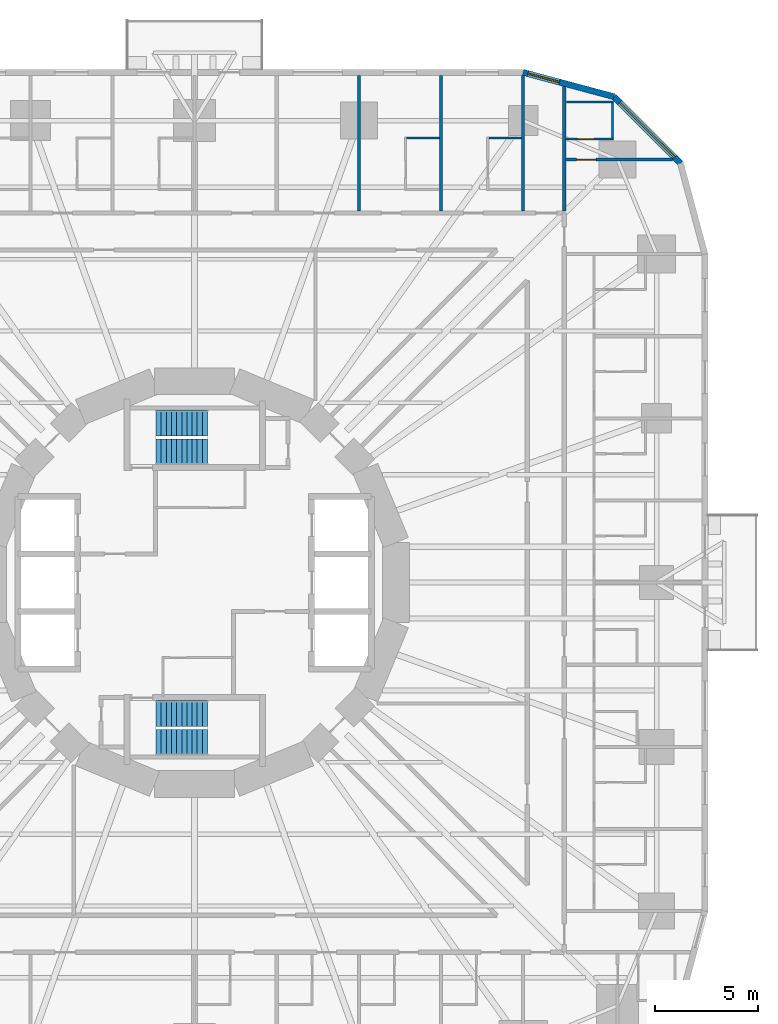
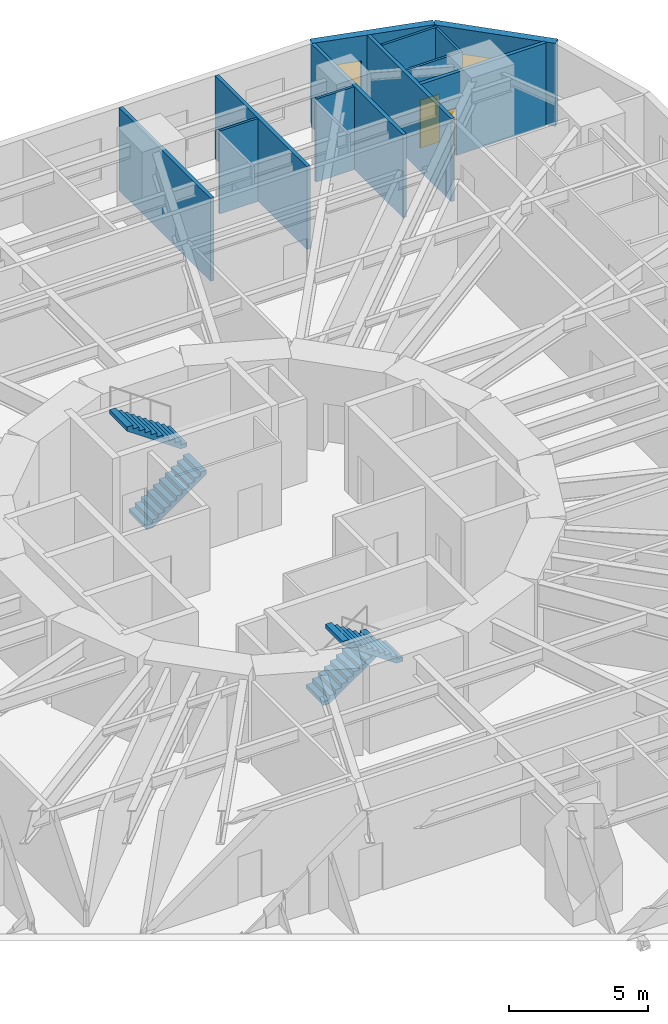
# One storey, part 12 of 14: 12 walls, 4 stair flights, 2 doors, 2 windows, 4 openings, 2 elements without a shape of their own.
"""IFC4 building model written with IfcOpenShell, lengths in metres."""

from ifc_helpers import new_model, si_unit, direction, frame, frame_2d, origin, place, context, subcontext, project, spatial, polyline, rectangle, outline, extrude, material, layer, layer_set, type_object, element, fill, aggregate, save


model = new_model("IFC4")

# Units and contexts
model_context = context("Model", 3, precision=1e-05, world=origin(), true_north=direction((0.0, 1.0)))
body_context = subcontext(model_context, "Body", "Model", "MODEL_VIEW")
ifc_project = project(units=[si_unit("LENGTHUNIT", "METRE"), si_unit("AREAUNIT", "SQUARE_METRE"), si_unit("VOLUMEUNIT", "CUBIC_METRE"), si_unit("PLANEANGLEUNIT", "RADIAN"), si_unit("MASSUNIT", "GRAM", prefix="KILO")], contexts=[model_context])

# Site, building, storey
site_placement = place(None, origin())
site = spatial("IfcSite", under=ifc_project, at=site_placement, CompositionType="ELEMENT")
building_placement = place(site_placement, origin())
building = spatial("IfcBuilding", under=site, at=building_placement, Name="Nakasero Lantern House", CompositionType="ELEMENT")
storey_placement = place(building_placement, frame((0.0, 0.0, 46.800048828125)))
storey = spatial("IfcBuildingStorey", under=building, at=storey_placement, Name="L11", CompositionType="ELEMENT", Elevation=46.800048828125)

# Wall, opening, door
ifc_material_1 = material(Name="Blockwork", Category="masonry")
ifc_layer_1 = layer(ifc_material_1, 0.10009765625)
ifc_layer_set_1 = layer_set([ifc_layer_1], Name="En-suite wall 100")
wall_type_1 = type_object("IfcWallType", Name="En-suite wall 100", PredefinedType="PARTITIONING", material=ifc_layer_set_1)
wall_1_placement = place(storey_placement, frame((18.06494140625, 21.59619140625, 0.0), z_axis=(0.0, 0.0, 1.0), x_axis=(1.0, 0.0, 0.0)))
wall_1 = element("IfcWall", 1, at=wall_1_placement, inside=storey, type_object=wall_type_1, Name="En-suite wall L11 ES0-09", PredefinedType="PARTITIONING", context=body_context, shape_type="SweptSolid", body=[
    extrude(rectangle(XDim=2.3349609375, YDim=0.10009765625, at=frame_2d((1.16748046875, 0.0))), origin(), (0.0, 0.0, 1.0), 3.64990234375),
])
opening_1_placement = place(wall_1_placement, frame((0.5849609375, 0.0, 0.0)))
opening_1 = element("IfcOpeningElement", 2, at=opening_1_placement, cuts=wall_1, Name="Opening D02", PredefinedType="OPENING", context=body_context, shape_type="SweptSolid", body=[
    extrude(rectangle(XDim=0.800048828125, YDim=2.10009765625, at=frame_2d((0.39990234375, 1.050048828125))), frame((0.0, 0.070068359375, 0.0), z_axis=(0.0, -1.0, 0.0), x_axis=(1.0, 0.0, 0.0)), (0.0, 0.0, 1.0), 0.14013671875),
])
ifc_material_2 = material(Name="Timber C24", Category="wood")
door_type_1 = type_object("IfcDoorType", Name="En-suite door 800", OperationType="SINGLE_SWING_RIGHT", PredefinedType="DOOR", material=ifc_material_2)
door_1_placement = place(opening_1_placement, origin())
door_1 = element("IfcDoor", 3, at=door_1_placement, inside=storey, type_object=door_type_1, Name="Door L11 DE0-09", OperationType="SINGLE_SWING_LEFT", OverallHeight=2.10009765625, OverallWidth=0.800048828125, PredefinedType="DOOR", context=body_context, shape_type="SweptSolid", body=[
    extrude(rectangle(XDim=0.800048828125, YDim=2.10009765625, at=frame_2d((0.39990234375, 1.050048828125))), frame((0.0, 0.02490234375, 0.0), z_axis=(0.0, -1.0, 0.0), x_axis=(1.0, 0.0, 0.0)), (0.0, 0.0, 1.0), 0.050048828125),
])
fill(opening_1, door_1)

# Walls
wall_2_placement = place(storey_placement, frame((20.35009765625, 21.646240234375, 0.0), z_axis=(0.0, 0.0, 1.0), x_axis=(0.0, 1.0, 0.0)))
element("IfcWall", 4, at=wall_2_placement, inside=storey, type_object=wall_type_1, Name="En-suite wall L11 EE0-09", PredefinedType="PARTITIONING", context=body_context, shape_type="SweptSolid", body=[
    extrude(rectangle(XDim=1.699951171875, YDim=0.10009765625, at=frame_2d((0.85009765625, 0.0))), origin(), (0.0, 0.0, 1.0), 3.64990234375),
])
wall_3_placement = place(storey_placement, frame((18.10009765625, 23.396240234375, 0.0), z_axis=(0.0, 0.0, 1.0), x_axis=(1.0, 0.0, 0.0)))
element("IfcWall", 5, at=wall_3_placement, inside=storey, type_object=wall_type_1, Name="En-suite wall L11 EV0-09", PredefinedType="PARTITIONING", context=body_context, shape_type="SweptSolid", body=[
    extrude(rectangle(XDim=2.2998046875, YDim=0.10009765625, at=frame_2d((1.14990234375, 0.0))), origin(), (0.0, 0.0, 1.0), 3.64990234375),
])
for number, where, z_axis, x_axis, name in (
    (6, (15.925048828125, 21.64990234375, 0.0), (0.0, 0.0, 1.0), (-1.0, 0.0, 0.0), "En-suite wall L11 EE1-01"),
    (7, (11.925048828125, 21.64990234375, 0.0), (0.0, 0.0, 1.0), (-1.0, 0.0, 0.0), "En-suite wall L11 EE1-02"),
):
    element("IfcWall", number, at=place(storey_placement, frame(where, z_axis=z_axis, x_axis=x_axis)), inside=storey, type_object=wall_type_1, Name=name, PredefinedType="PARTITIONING", context=body_context, shape_type="SweptSolid", body=[
        extrude(rectangle(XDim=1.60009765625, YDim=0.10009765625, at=frame_2d((0.800048828125, 0.0))), origin(), (0.0, 0.0, 1.0), 3.64990234375),
    ])

# Wall, opening, window
ifc_material_3 = material(Name="Aluminium rainscreen on blockwork", Category="masonry")
ifc_layer_2 = layer(ifc_material_3, 0.300048828125)
ifc_layer_set_2 = layer_set([ifc_layer_2], Name="Facade wall 300")
wall_type_2 = type_object("IfcWallType", Name="Facade wall 300", PredefinedType="SOLIDWALL", material=ifc_layer_set_2)
wall_4_placement = place(storey_placement, frame((23.664306640625, 20.425048828125, 0.0), z_axis=(0.0, 0.0, 1.0), x_axis=(-0.707106781187, 0.707106781187, 0.0)))
wall_4 = element("IfcWall", 8, at=wall_4_placement, inside=storey, type_object=wall_type_2, Name="Facade wall L11 FW0C2", PredefinedType="SOLIDWALL", context=body_context, shape_type="SweptSolid", body=[
    extrude(rectangle(XDim=4.5810546875, YDim=0.300048828125, at=frame_2d((2.29052734375, 0.0))), origin(), (0.0, 0.0, 1.0), 3.64990234375),
])
opening_2_placement = place(wall_4_placement, frame((0.39990234375, 0.0, 0.75)))
opening_2 = element("IfcOpeningElement", 9, at=opening_2_placement, cuts=wall_4, Name="Opening W237", PredefinedType="OPENING", context=body_context, shape_type="SweptSolid", body=[
    extrude(rectangle(XDim=3.781005859375, YDim=1.800048828125, at=frame_2d((1.890625, 0.89990234375))), frame((0.0, 0.169921875, 0.0), z_axis=(0.0, -1.0, 0.0), x_axis=(1.0, 0.0, 0.0)), (0.0, 0.0, 1.0), 0.340087890625),
])
ifc_material_4 = material(Name="Aluminium 6063-T6 and glass", Category="aluminium")
window_type_1 = type_object("IfcWindowType", Name="Corner window 3781x1800", PartitioningType="SINGLE_PANEL", PredefinedType="WINDOW", material=ifc_material_4)
window_1_placement = place(opening_2_placement, origin())
window_1 = element("IfcWindow", 10, at=window_1_placement, inside=storey, type_object=window_type_1, Name="Window L11 WC0", OverallHeight=1.800048828125, OverallWidth=3.781005859375, PartitioningType="SINGLE_PANEL", PredefinedType="WINDOW", context=body_context, shape_type="SweptSolid", body=[
    extrude(rectangle(XDim=3.781005859375, YDim=1.800048828125, at=frame_2d((1.890625, 0.89990234375))), frame((0.0, 0.030029296875, 0.0), z_axis=(0.0, -1.0, 0.0), x_axis=(1.0, 0.0, 0.0)), (0.0, 0.0, 1.0), 0.06005859375),
])
fill(opening_2, window_1)

wall_5_placement = place(storey_placement, frame((20.425048828125, 23.664306640625, 0.0), z_axis=(0.0, 0.0, 1.0), x_axis=(-0.965920218567, 0.258839972501, 0.0)))
wall_5 = element("IfcWall", 11, at=wall_5_placement, inside=storey, type_object=wall_type_2, Name="Facade wall L11 FW0C3", PredefinedType="SOLIDWALL", context=body_context, shape_type="SweptSolid", body=[
    extrude(rectangle(XDim=4.5810546875, YDim=0.300048828125, at=frame_2d((2.29052734375, 0.0))), origin(), (0.0, 0.0, 1.0), 3.64990234375),
])
opening_3_placement = place(wall_5_placement, frame((2.74609375, 0.0, 0.75)))
opening_3 = element("IfcOpeningElement", 12, at=opening_3_placement, cuts=wall_5, Name="Opening W01", PredefinedType="OPENING", context=body_context, shape_type="SweptSolid", body=[
    extrude(rectangle(XDim=1.60009765625, YDim=1.800048828125, at=frame_2d((0.800048828125, 0.89990234375))), frame((0.0, 0.169921875, 0.0), z_axis=(0.0, -1.0, 0.0), x_axis=(1.0, 0.0, 0.0)), (0.0, 0.0, 1.0), 0.340087890625),
])
ifc_material_5 = material(Name="Aluminium 6063-T6 and glass", Category="aluminium")
window_type_2 = type_object("IfcWindowType", Name="Bedroom window 1600x1800", PartitioningType="SINGLE_PANEL", PredefinedType="WINDOW", material=ifc_material_5)
window_2_placement = place(opening_3_placement, origin())
window_2 = element("IfcWindow", 13, at=window_2_placement, inside=storey, type_object=window_type_2, Name="Window L11 WN1-00", OverallHeight=1.800048828125, OverallWidth=1.60009765625, PartitioningType="SINGLE_PANEL", PredefinedType="WINDOW", context=body_context, shape_type="SweptSolid", body=[
    extrude(rectangle(XDim=1.60009765625, YDim=1.800048828125, at=frame_2d((0.800048828125, 0.89990234375))), frame((0.0, 0.030029296875, 0.0), z_axis=(0.0, -1.0, 0.0), x_axis=(1.0, 0.0, 0.0)), (0.0, 0.0, 1.0), 0.06005859375),
])
fill(opening_3, window_2)

# Wall, opening, door
ifc_material_6 = material(Name="Blockwork", Category="masonry")
ifc_layer_3 = layer(ifc_material_6, 0.14990234375)
ifc_layer_set_3 = layer_set([ifc_layer_3], Name="Party wall 150")
wall_type_3 = type_object("IfcWallType", Name="Party wall 150", PredefinedType="PARTITIONING", material=ifc_layer_set_3)
wall_6_placement = place(storey_placement, frame((18.06494140625, 20.59619140625, 0.0), z_axis=(0.0, 0.0, 1.0), x_axis=(1.0, 0.0, 0.0)))
wall_6 = element("IfcWall", 14, at=wall_6_placement, inside=storey, type_object=wall_type_3, Name="Party wall L11 PC0", PredefinedType="PARTITIONING", context=body_context, shape_type="SweptSolid", body=[
    extrude(rectangle(XDim=5.208740234375, YDim=0.14990234375, at=frame_2d((2.6044921875, 0.0))), origin(), (0.0, 0.0, 1.0), 3.64990234375),
])
opening_4_placement = place(wall_6_placement, frame((0.534912109375, 0.0, 0.0)))
opening_4 = element("IfcOpeningElement", 15, at=opening_4_placement, cuts=wall_6, Name="Opening D01", PredefinedType="OPENING", context=body_context, shape_type="SweptSolid", body=[
    extrude(rectangle(XDim=0.949951171875, YDim=2.10009765625, at=frame_2d((0.47509765625, 1.050048828125))), frame((0.0, 0.094970703125, 0.0), z_axis=(0.0, -1.0, 0.0), x_axis=(1.0, 0.0, 0.0)), (0.0, 0.0, 1.0), 0.18994140625),
])
ifc_material_7 = material(Name="Timber C24", Category="wood")
door_type_2 = type_object("IfcDoorType", Name="Bedroom door FD30S 950", OperationType="SINGLE_SWING_LEFT", PredefinedType="DOOR", material=ifc_material_7)
door_2_placement = place(opening_4_placement, origin())
door_2 = element("IfcDoor", 16, at=door_2_placement, inside=storey, type_object=door_type_2, Name="Door L11 DC0", OperationType="SINGLE_SWING_LEFT", OverallHeight=2.10009765625, OverallWidth=0.949951171875, PredefinedType="DOOR", context=body_context, shape_type="SweptSolid", body=[
    extrude(rectangle(XDim=0.949951171875, YDim=2.10009765625, at=frame_2d((0.47509765625, 1.050048828125))), frame((0.0, 0.02490234375, 0.0), z_axis=(0.0, -1.0, 0.0), x_axis=(1.0, 0.0, 0.0)), (0.0, 0.0, 1.0), 0.050048828125),
])
fill(opening_4, door_2)

# Walls
wall_7_placement = place(storey_placement, frame((18.0, 18.10009765625, 0.0), z_axis=(0.0, 0.0, 1.0), x_axis=(0.0, 1.0, 0.0)))
element("IfcWall", 17, at=wall_7_placement, inside=storey, type_object=wall_type_3, Name="Party wall L11 PW1-00", PredefinedType="PARTITIONING", context=body_context, shape_type="SweptSolid", body=[
    extrude(rectangle(XDim=6.053466796875, YDim=0.14990234375, at=frame_2d((3.02685546875, 0.0))), origin(), (0.0, 0.0, 1.0), 3.64990234375),
])
wall_8_placement = place(storey_placement, frame((16.0, 18.10009765625, 0.0), z_axis=(0.0, 0.0, 1.0), x_axis=(0.0, 1.0, 0.0)))
element("IfcWall", 18, at=wall_8_placement, inside=storey, type_object=wall_type_3, Name="Party wall L11 PW1-01", PredefinedType="PARTITIONING", context=body_context, shape_type="SweptSolid", body=[
    extrude(rectangle(XDim=6.58935546875, YDim=0.14990234375, at=frame_2d((3.294677734375, 0.0))), origin(), (0.0, 0.0, 1.0), 3.64990234375),
])
for number, where, z_axis, x_axis, name in (
    (19, (12.0, 18.10009765625, 0.0), (0.0, 0.0, 1.0), (0.0, 1.0, 0.0), "Party wall L11 PW1-02"),
    (20, (8.0, 18.10009765625, 0.0), (0.0, 0.0, 1.0), (0.0, 1.0, 0.0), "Party wall L11 PW1-03"),
):
    element("IfcWall", number, at=place(storey_placement, frame(where, z_axis=z_axis, x_axis=x_axis)), inside=storey, type_object=wall_type_3, Name=name, PredefinedType="PARTITIONING", context=body_context, shape_type="SweptSolid", body=[
        extrude(rectangle(XDim=6.599853515625, YDim=0.14990234375, at=frame_2d((3.2998046875, 0.0))), origin(), (0.0, 0.0, 1.0), 3.64990234375),
    ])

# Stair, stair flights
ifc_material_8 = material(Name="Concrete C40/50", Category="concrete")
stair_type_1 = type_object("IfcStairType", Name="Escape stair ST1 22 risers", PredefinedType="HALF_TURN_STAIR", material=ifc_material_8)
stair_1_placement = place(storey_placement, origin())
stair_1 = element("IfcStair", 21, at=stair_1_placement, inside=storey, type_object=stair_type_1, Name="Escape stair ST1 L11", PredefinedType="HALF_TURN_STAIR")
ifc_material_9 = material(Name="Concrete C40/50", Category="concrete")
stair_flight_type = type_object("IfcStairFlightType", Name="Escape stair flight", PredefinedType="STRAIGHT", material=ifc_material_9)
stair_flight_1_placement = place(storey_placement, frame((-1.875, 6.375, 0.0), z_axis=(0.0, 0.0, 1.0), x_axis=(1.0, 0.0, 0.0)))
stair_flight_1 = element("IfcStairFlight", 22, at=stair_flight_1_placement, type_object=stair_flight_type, Name="ST1 flight 1", NumberOfRisers=11, NumberOfTreads=10, PredefinedType="STRAIGHT", RiserHeight=0.175, TreadLength=0.25, context=body_context, shape_type="SweptSolid", body=[
    extrude(outline(polyline([(0.0, 0.0), (0.0, 0.175048828125), (0.25, 0.175048828125), (0.25, 0.35009765625), (0.5, 0.35009765625), (0.5, 0.52490234375), (0.75, 0.52490234375), (0.75, 0.699951171875), (1.0, 0.699951171875), (1.0, 0.875), (1.25, 0.875), (1.25, 1.050048828125), (1.5, 1.050048828125), (1.5, 1.22509765625), (1.75, 1.22509765625), (1.75, 1.39990234375), (2.0, 1.39990234375), (2.0, 1.574951171875), (2.25, 1.574951171875), (2.25, 1.75), (2.5, 1.75), (2.5, 1.925048828125), (2.5, 1.567138671875), (0.261474609375, 0.0), (0.0, 0.0)])), frame((0.0, 0.625, 0.0), z_axis=(0.0, -1.0, 0.0), x_axis=(1.0, 0.0, 0.0)), (0.0, 0.0, 1.0), 1.25),
])
stair_flight_2_placement = place(storey_placement, frame((0.625, 7.77490234375, 1.925048828125), z_axis=(0.0, 0.0, 1.0), x_axis=(-1.0, 0.0, 0.0)))
stair_flight_2 = element("IfcStairFlight", 23, at=stair_flight_2_placement, type_object=stair_flight_type, Name="ST1 flight 2", NumberOfRisers=11, NumberOfTreads=10, PredefinedType="STRAIGHT", RiserHeight=0.175, TreadLength=0.25, context=body_context, shape_type="SweptSolid", body=[
    extrude(outline(polyline([(0.0, 0.0), (0.0, 0.175048828125), (0.25, 0.175048828125), (0.25, 0.35009765625), (0.5, 0.35009765625), (0.5, 0.52490234375), (0.75, 0.52490234375), (0.75, 0.699951171875), (1.0, 0.699951171875), (1.0, 0.875), (1.25, 0.875), (1.25, 1.050048828125), (1.5, 1.050048828125), (1.5, 1.22509765625), (1.75, 1.22509765625), (1.75, 1.39990234375), (2.0, 1.39990234375), (2.0, 1.574951171875), (2.25, 1.574951171875), (2.25, 1.75), (2.5, 1.75), (2.5, 1.925048828125), (2.5, 1.567138671875), (0.261474609375, 0.0), (0.0, 0.0)])), frame((0.0, 0.625, 0.0), z_axis=(0.0, -1.0, 0.0), x_axis=(1.0, 0.0, 0.0)), (0.0, 0.0, 1.0), 1.25),
])
aggregate(stair_1, [stair_flight_1, stair_flight_2])

ifc_material_10 = material(Name="Concrete C40/50", Category="concrete")
stair_type_2 = type_object("IfcStairType", Name="Escape stair ST2 22 risers", PredefinedType="HALF_TURN_STAIR", material=ifc_material_10)
stair_2_placement = place(storey_placement, origin())
stair_2 = element("IfcStair", 24, at=stair_2_placement, inside=storey, type_object=stair_type_2, Name="Escape stair ST2 L11", PredefinedType="HALF_TURN_STAIR")
stair_flight_3_placement = place(storey_placement, frame((-1.875, -6.375, 0.0), z_axis=(0.0, 0.0, 1.0), x_axis=(1.0, 0.0, 0.0)))
stair_flight_3 = element("IfcStairFlight", 25, at=stair_flight_3_placement, type_object=stair_flight_type, Name="ST2 flight 1", NumberOfRisers=11, NumberOfTreads=10, PredefinedType="STRAIGHT", RiserHeight=0.175, TreadLength=0.25, context=body_context, shape_type="SweptSolid", body=[
    extrude(outline(polyline([(0.0, 0.0), (0.0, 0.175048828125), (0.25, 0.175048828125), (0.25, 0.35009765625), (0.5, 0.35009765625), (0.5, 0.52490234375), (0.75, 0.52490234375), (0.75, 0.699951171875), (1.0, 0.699951171875), (1.0, 0.875), (1.25, 0.875), (1.25, 1.050048828125), (1.5, 1.050048828125), (1.5, 1.22509765625), (1.75, 1.22509765625), (1.75, 1.39990234375), (2.0, 1.39990234375), (2.0, 1.574951171875), (2.25, 1.574951171875), (2.25, 1.75), (2.5, 1.75), (2.5, 1.925048828125), (2.5, 1.567138671875), (0.261474609375, 0.0), (0.0, 0.0)])), frame((0.0, 0.625, 0.0), z_axis=(0.0, -1.0, 0.0), x_axis=(1.0, 0.0, 0.0)), (0.0, 0.0, 1.0), 1.25),
])
stair_flight_4_placement = place(storey_placement, frame((0.625, -7.77490234375, 1.925048828125), z_axis=(0.0, 0.0, 1.0), x_axis=(-1.0, 0.0, 0.0)))
stair_flight_4 = element("IfcStairFlight", 26, at=stair_flight_4_placement, type_object=stair_flight_type, Name="ST2 flight 2", NumberOfRisers=11, NumberOfTreads=10, PredefinedType="STRAIGHT", RiserHeight=0.175, TreadLength=0.25, context=body_context, shape_type="SweptSolid", body=[
    extrude(outline(polyline([(0.0, 0.0), (0.0, 0.175048828125), (0.25, 0.175048828125), (0.25, 0.35009765625), (0.5, 0.35009765625), (0.5, 0.52490234375), (0.75, 0.52490234375), (0.75, 0.699951171875), (1.0, 0.699951171875), (1.0, 0.875), (1.25, 0.875), (1.25, 1.050048828125), (1.5, 1.050048828125), (1.5, 1.22509765625), (1.75, 1.22509765625), (1.75, 1.39990234375), (2.0, 1.39990234375), (2.0, 1.574951171875), (2.25, 1.574951171875), (2.25, 1.75), (2.5, 1.75), (2.5, 1.925048828125), (2.5, 1.567138671875), (0.261474609375, 0.0), (0.0, 0.0)])), frame((0.0, 0.625, 0.0), z_axis=(0.0, -1.0, 0.0), x_axis=(1.0, 0.0, 0.0)), (0.0, 0.0, 1.0), 1.25),
])
aggregate(stair_2, [stair_flight_3, stair_flight_4])

save(model, "model.ifc")
